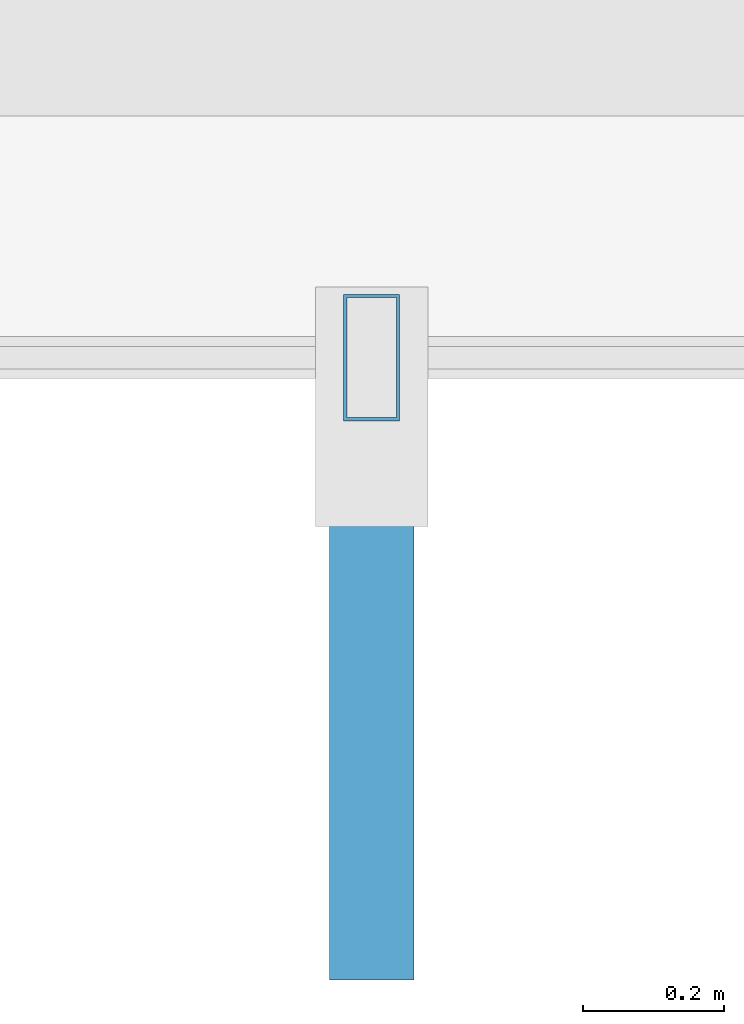
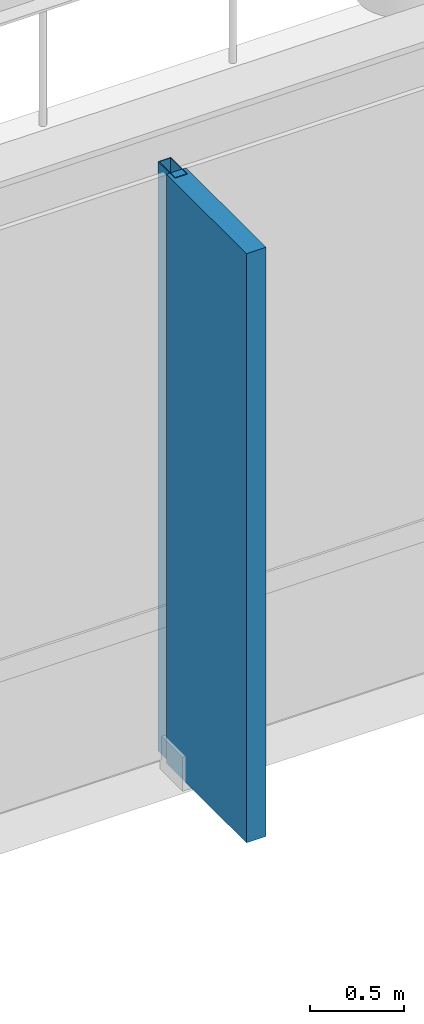
# One storey, part 7 of 26: 2 members, 1 element without a shape of its own.
"""IFC4 building model written with IfcOpenShell, lengths in metres."""

from ifc_helpers import new_model, si_unit, direction, frame, origin, origin_2d, place, context, subcontext, project, spatial, rectangle, hollow_rectangle, extrude, material, layer, layer_set, material_profile, profile_set, type_object, element, aggregate, save


model = new_model("IFC4")

# Units and contexts
model_context = context("Model", 3, precision=1e-05, world=origin(), true_north=direction((0.0, 1.0)))
body_context = subcontext(model_context, "Body", "Model", "MODEL_VIEW")
ifc_project = project(units=[si_unit("LENGTHUNIT", "METRE"), si_unit("AREAUNIT", "SQUARE_METRE"), si_unit("VOLUMEUNIT", "CUBIC_METRE"), si_unit("PLANEANGLEUNIT", "RADIAN"), si_unit("MASSUNIT", "GRAM", prefix="KILO")], contexts=[model_context])

# Site, building, storey
site_placement = place(None, origin())
site = spatial("IfcSite", under=ifc_project, at=site_placement, CompositionType="ELEMENT")
building_placement = place(site_placement, origin())
building = spatial("IfcBuilding", under=site, at=building_placement, Name="Zarrinselat Tower", CompositionType="ELEMENT")
storey_placement = place(building_placement, frame((0.0, 0.0, 60.179931640625)))
storey = spatial("IfcBuildingStorey", under=building, at=storey_placement, Name="L14", CompositionType="ELEMENT", Elevation=60.179931640625)

# Curtain wall, members
ifc_material_1 = material(Name="Extruded Aluminium Alloy EN AW-6063 T6", Category="aluminium")
ifc_layer = layer(ifc_material_1, 0.18505859375)
ifc_layer_set = layer_set([ifc_layer], Name="Extruded Aluminium Alloy EN AW-6063 T6")
curtain_wall_type = type_object("IfcCurtainWallType", Name="CWS-OFF", PredefinedType="NOTDEFINED", material=ifc_layer_set)
curtain_wall_placement = place(storey_placement, origin())
curtain_wall = element("IfcCurtainWall", 1, at=curtain_wall_placement, inside=storey, type_object=curtain_wall_type, Name="L14 Unitised Curtain Wall CW-L14-E04", PredefinedType="NOTDEFINED")
ifc_material_2 = material(Name="Extruded Aluminium Alloy EN AW-6063 T6", Category="aluminium")
ifc_material_profile_1 = material_profile(ifc_material_2, hollow_rectangle(XDim=0.080078125, YDim=0.179931640625, WallThickness=0.0048828125, at=origin_2d()), Name="RHS 180x80x5")
ifc_profile_set_1 = profile_set([ifc_material_profile_1], Name="Extruded Aluminium Alloy EN AW-6063 T6")
member_type_1 = type_object("IfcMemberType", Name="MEM-CW-MUL", PredefinedType="MULLION", material=ifc_profile_set_1)
member_1_placement = place(storey_placement, frame((38.39990234375, 18.86181640625, 0.0), z_axis=(0.0, 0.0, 1.0), x_axis=(1.0, 0.0, 0.0)))
member_1 = element("IfcMember", 2, at=member_1_placement, type_object=member_type_1, Name="CW-L14-E04 Mullion 3", PredefinedType="MULLION", context=body_context, shape_type="SweptSolid", body=[
    extrude(hollow_rectangle(XDim=0.080078125, YDim=0.179931640625, WallThickness=0.0048828125, at=origin_2d()), origin(), (0.0, 0.0, 1.0), 3.820068359375),
])
ifc_material_3 = material(Name="Honed Cream Travertine Stone", Category="masonry")
ifc_material_profile_2 = material_profile(ifc_material_3, rectangle(XDim=0.1201171875, YDim=0.85009765625, at=origin_2d()), Name="FIN 850x120")
ifc_profile_set_2 = profile_set([ifc_material_profile_2], Name="Honed Cream Travertine Stone")
member_type_2 = type_object("IfcMemberType", Name="MEM-STONE-FIN", PredefinedType="USERDEFINED", material=ifc_profile_set_2)
member_2_placement = place(storey_placement, frame((38.39990234375, 18.401611328125, 0.0), z_axis=(0.0, 0.0, 1.0), x_axis=(-1.0, 0.0, 0.0)))
member_2 = element("IfcMember", 3, at=member_2_placement, type_object=member_type_2, Name="L14 Stone Shading Fin CW-L14-E04-03", ObjectType="FIN", PredefinedType="USERDEFINED", context=body_context, shape_type="SweptSolid", body=[
    extrude(rectangle(XDim=0.1201171875, YDim=0.85009765625, at=origin_2d()), origin(), (0.0, 0.0, 1.0), 3.820068359375),
])
aggregate(curtain_wall, [member_1, member_2])

save(model, "model.ifc")
